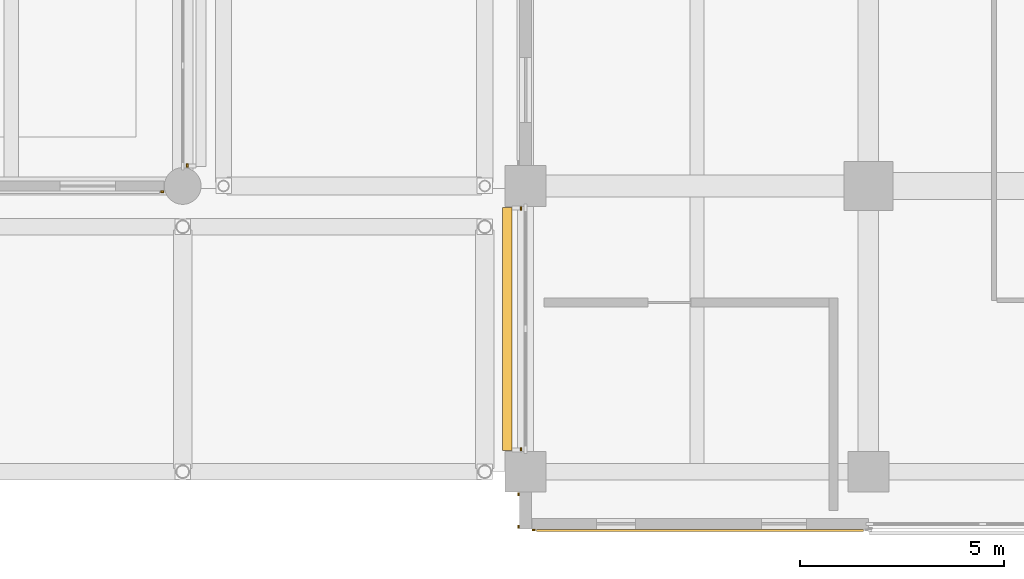
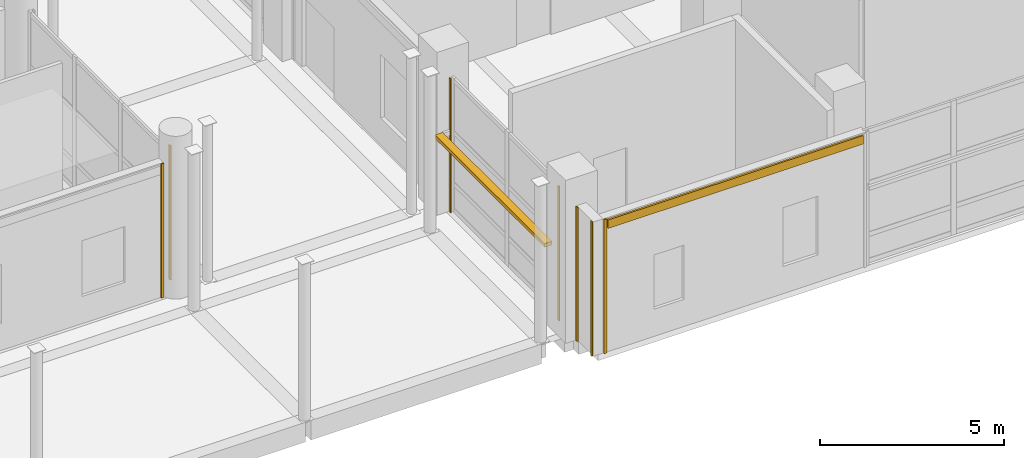
# One storey, part 98 of 140: 8 coverings, 1 shading device.
"""IFC4 building model written with IfcOpenShell, lengths in metres."""

from ifc_helpers import new_model, si_unit, direction, frame, origin, origin_2d, place, context, subcontext, project, spatial, rectangle, extrude, material, layer, layer_set, type_object, element, save


model = new_model("IFC4")

# Units and contexts
model_context = context("Model", 3, precision=1e-05, world=origin(), true_north=direction((0.0, 1.0)))
body_context = subcontext(model_context, "Body", "Model", "MODEL_VIEW")
ifc_project = project(units=[si_unit("LENGTHUNIT", "METRE"), si_unit("AREAUNIT", "SQUARE_METRE"), si_unit("VOLUMEUNIT", "CUBIC_METRE"), si_unit("PLANEANGLEUNIT", "RADIAN"), si_unit("MASSUNIT", "GRAM", prefix="KILO")], contexts=[model_context])

# Site, building, storey
site_placement = place(None, origin())
site = spatial("IfcSite", under=ifc_project, at=site_placement, CompositionType="ELEMENT")
building_placement = place(site_placement, origin())
building = spatial("IfcBuilding", under=site, at=building_placement, Name="Telukmera Botanical Conservatory", CompositionType="ELEMENT")
storey_placement = place(building_placement, origin())
storey = spatial("IfcBuildingStorey", under=building, at=storey_placement, Name="L00", CompositionType="ELEMENT", Elevation=0.0)

# Coverings
ifc_material_1 = material(Name="Granite-faced precast concrete C40/50", Category="masonry")
ifc_layer_1 = layer(ifc_material_1, 0.0400390625)
ifc_layer_set_1 = layer_set([ifc_layer_1], Name="Granite-faced precast concrete C40/50")
covering_type_1 = type_object("IfcCoveringType", Name="Granite Precast Column Pier Reveal Casing", PredefinedType="CLADDING", material=ifc_layer_set_1)
for number, where, z_axis, x_axis, name in (
    (1, (41.498046875, 17.4599609375, 0.0), (0.0, 0.0, 1.0), (1.0, 0.0, 0.0), "Granite Pier Reveal V3:L00:S4 R"),
    (2, (42.110107421875, 18.10205078125, 0.0), (0.0, 0.0, 1.0), (0.0, 1.0, 0.0), "Granite Pier Reveal V3:L00:E1 L"),
    (3, (50.22998046875, 9.25, 0.0), (0.0, 0.0, 1.0), (0.0, 1.0, 0.0), "Granite Pier Reveal V4:L00:SWC L"),
    (4, (50.22998046875, 10.048095703125, 0.0), (0.0, 0.0, 1.0), (0.0, 1.0, 0.0), "Granite Pier Reveal V4:L00:SWC R"),
    (5, (50.60205078125, 9.169921875, 0.0), (0.0, 0.0, 1.0), (1.0, 0.0, 0.0), "Granite Pier Reveal V4:L00:S1 L"),
    (6, (50.2900390625, 11.152099609375, 0.0), (0.0, 0.0, 1.0), (0.0, 1.0, 0.0), "Granite Pier Reveal V4:L00:W1 L"),
    (7, (50.2900390625, 17.048095703125, 0.0), (0.0, 0.0, 1.0), (0.0, 1.0, 0.0), "Granite Pier Reveal V4:L00:W1 R"),
):
    element("IfcCovering", number, at=place(storey_placement, frame(where, z_axis=z_axis, x_axis=x_axis)), inside=storey, type_object=covering_type_1, Name=name, PredefinedType="CLADDING", context=body_context, shape_type="SweptSolid", body=[
        extrude(rectangle(XDim=0.080078125, YDim=0.0400390625, at=origin_2d()), origin(), (0.0, 0.0, 1.0), 4.449951171875),
    ])

# Shading device
ifc_material_2 = material(Name="Perforated terracotta-anodised aluminium 6063-T6", Category="masonry")
ifc_layer_2 = layer(ifc_material_2, 0.044921875)
ifc_layer_set_2 = layer_set([ifc_layer_2], Name="Perforated terracotta-anodised aluminium 6063-T6")
shading_device_type = type_object("IfcShadingDeviceType", Name="Perforated Terracotta Aluminium Monsoon Brise Soleil", PredefinedType="JALOUSIE", material=ifc_layer_set_2)
shading_device_placement = place(storey_placement, frame((49.949951171875, 14.10009765625, 2.58984375), z_axis=(0.0, 0.0, 1.0), x_axis=(0.0, 1.0, 0.0)))
element("IfcShadingDevice", 8, at=shading_device_placement, inside=storey, type_object=shading_device_type, Name="Monsoon Shading BS01 V4:L00:W1", PredefinedType="JALOUSIE", context=body_context, shape_type="SweptSolid", body=[
    extrude(rectangle(XDim=5.9560546875, YDim=0.239990234375, at=origin_2d()), origin(), (0.0, 0.0, 1.0), 0.1201171875),
])

# Covering
ifc_material_3 = material(Name="Terracotta-faced precast concrete C40/50", Category="masonry")
ifc_layer_3 = layer(ifc_material_3, 0.06005859375)
ifc_layer_set_3 = layer_set([ifc_layer_3], Name="Terracotta-faced precast concrete C40/50")
covering_type_2 = type_object("IfcCoveringType", Name="Polychrome Terracotta Facade Band Cladding", PredefinedType="CLADDING", material=ifc_layer_set_3)
covering_placement = place(storey_placement, frame((54.675048828125, 9.159912109375, 4.1298828125), z_axis=(0.0, 0.0, 1.0), x_axis=(1.0, 0.0, 0.0)))
element("IfcCovering", 9, at=covering_placement, inside=storey, type_object=covering_type_2, Name="Polychrome Terracotta Band V4:L00:S1", PredefinedType="CLADDING", context=body_context, shape_type="SweptSolid", body=[
    extrude(rectangle(XDim=8.006103515625, YDim=0.06005859375, at=origin_2d()), origin(), (0.0, 0.0, 1.0), 0.280029296875),
])

save(model, "model.ifc")
